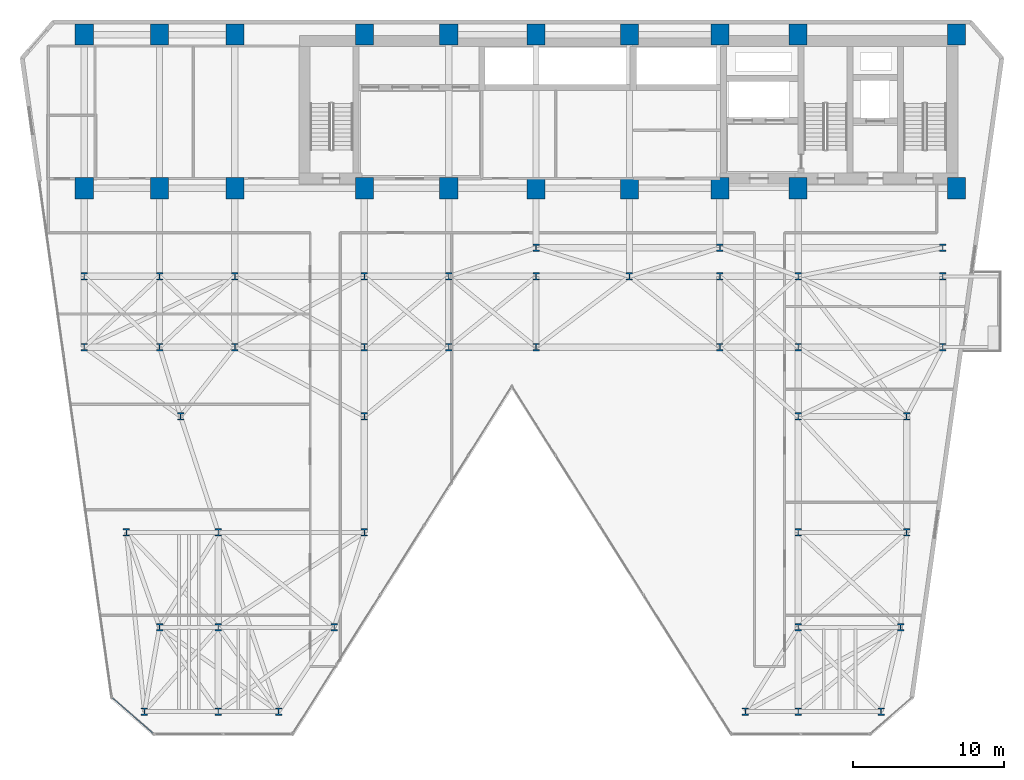
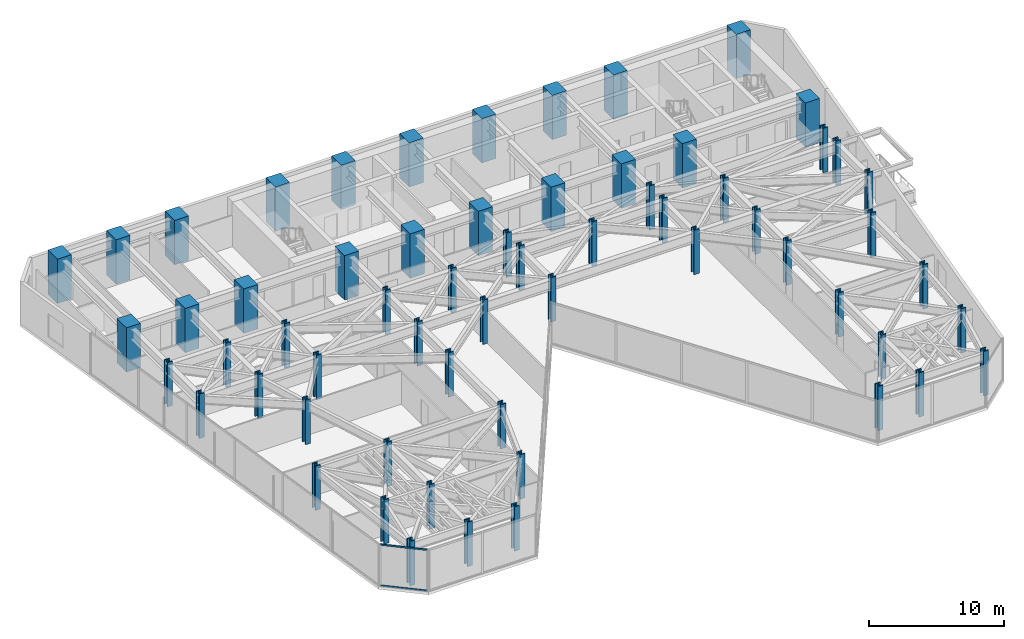
# One storey, part 1 of 24: 62 columns, 2 members, 1 element without a shape of its own.
"""IFC4 building model written with IfcOpenShell, lengths in metres."""

import ifcopenshell
import ifcopenshell.guid

model = None  # the IFC model being written
_history = None  # IfcOwnerHistory: only IFC2X3 demands one
_inside = {}  # id of a spatial element -> (the spatial element, [elements in it])
_under = {}  # id of a project, library or spatial element -> (it, [spatial elements below it])
_declared = {}  # id of a project -> (the project, [libraries it declares])
_typed = {}  # id of a type object -> (the type object, [elements of that type])
_made_of = {}  # id of a material, layer set ... -> (it, [elements and type objects made of it])


def new_model(schema):
    """Start an empty IFC model of exactly this schema.

    Asked for "IFC4X3", IfcOpenShell would pick the latest addendum, in which some entities
    have other attributes; the version numbers below select the first issue.
    IFC2X3 requires an IfcOwnerHistory on every rooted entity: one is made here for all.
    """
    global model, _history
    if schema == "IFC4X3":
        model = ifcopenshell.file(schema_version=(4, 3, 0, 0))
    else:
        model = ifcopenshell.file(schema=schema)
    _inside.clear()
    _under.clear()
    _declared.clear()
    _typed.clear()
    _made_of.clear()
    _history = None
    if model.schema == "IFC2X3":
        org = make("IfcOrganization", Name="unknown")
        user = make(
            "IfcPersonAndOrganization",
            ThePerson=make("IfcPerson", FamilyName="unknown"),
            TheOrganization=org,
        )
        app = make(
            "IfcApplication",
            ApplicationDeveloper=org,
            Version="unknown",
            ApplicationFullName="unknown",
            ApplicationIdentifier="unknown",
        )
        _history = make(
            "IfcOwnerHistory",
            OwningUser=user,
            OwningApplication=app,
            ChangeAction="ADDED",
            CreationDate=0,
        )
    return model


def make(cls, **values):
    """One entity of the class cls with the attributes given. An attribute that is None is left unset."""
    return model.create_entity(
        cls, **{name: value for name, value in values.items() if value is not None}
    )


def rooted(cls, **values):
    """An entity with a GlobalId (a new one), such as an element, a storey or a relation."""
    return make(cls, GlobalId=ifcopenshell.guid.new(), OwnerHistory=_history, **values)


def si_unit(unit_type, name, prefix=None):
    """IfcSIUnit, for example si_unit("LENGTHUNIT", "METRE", prefix="MILLI")."""
    return make("IfcSIUnit", UnitType=unit_type, Prefix=prefix, Name=name)


def assignment(units):
    """IfcUnitAssignment: the units of a project."""
    return None if units is None else make("IfcUnitAssignment", Units=units)


def point(xyz):
    """IfcCartesianPoint."""
    return None if xyz is None else make("IfcCartesianPoint", Coordinates=xyz)


def direction(xyz):
    """IfcDirection."""
    return None if xyz is None else make("IfcDirection", DirectionRatios=xyz)


def frame(location, z_axis=None, x_axis=None):
    """IfcAxis2Placement3D, a coordinate frame: its origin and axes. An axis left out is left unset."""
    return make(
        "IfcAxis2Placement3D",
        Location=point(location),
        Axis=direction(z_axis),
        RefDirection=direction(x_axis),
    )


def frame_2d(location, x_axis=None):
    """IfcAxis2Placement2D, a coordinate frame in the plane: its origin and x axis."""
    return make(
        "IfcAxis2Placement2D", Location=point(location), RefDirection=direction(x_axis)
    )


def origin():
    """The frame at (0, 0, 0) with its axes left unset."""
    return frame((0.0, 0.0, 0.0))


def origin_2d():
    """The frame at (0, 0) in the plane with its x axis left unset."""
    return frame_2d((0.0, 0.0))


def place(relative_to, where):
    """IfcLocalPlacement: puts the frame where relative to a parent placement (None: the world)."""
    return make(
        "IfcLocalPlacement", PlacementRelTo=relative_to, RelativePlacement=where
    )


def context(
    kind, dimensions, precision=None, world=None, true_north=None, identifier=None
):
    """IfcGeometricRepresentationContext, for example the 3D "Model" context."""
    return make(
        "IfcGeometricRepresentationContext",
        ContextIdentifier=identifier,
        ContextType=kind,
        CoordinateSpaceDimension=dimensions,
        Precision=precision,
        WorldCoordinateSystem=world,
        TrueNorth=true_north,
    )


def subcontext(parent, identifier, kind, view, scale=None):
    """IfcGeometricRepresentationSubContext, for example "Body" below "Model"."""
    return make(
        "IfcGeometricRepresentationSubContext",
        ContextIdentifier=identifier,
        ContextType=kind,
        ParentContext=parent,
        TargetScale=scale,
        TargetView=view,
    )


def project(units=None, contexts=None):
    """IfcProject with its units and contexts."""
    return rooted(
        "IfcProject",
        Name="project",
        RepresentationContexts=contexts,
        UnitsInContext=assignment(units),
    )


def spatial(cls, under=None, at=None, **own):
    """A site, building, storey or space (cls), placed at a placement, below another one or the project."""
    s = rooted(cls, ObjectPlacement=at, **own)
    if under is not None:
        _under.setdefault(under.id(), (under, []))[1].append(s)
    return s


def profile(cls, at=None, kind="AREA", **sizes):
    """A parametric profile (cls). Its sizes go by their IFC names, for example OverallWidth=200.0."""
    return make(cls, ProfileType=kind, Position=at, **sizes)


def rectangle(**sizes):
    """IfcRectangleProfileDef."""
    return profile("IfcRectangleProfileDef", **sizes)


def hollow_rectangle(**sizes):
    """IfcRectangleHollowProfileDef."""
    return profile("IfcRectangleHollowProfileDef", **sizes)


def i_section(**sizes):
    """IfcIShapeProfileDef."""
    return profile("IfcIShapeProfileDef", **sizes)


def extrude(swept, where, along, depth):
    """IfcExtrudedAreaSolid: the profile swept, set in the frame where, extruded along a direction by depth."""
    return make(
        "IfcExtrudedAreaSolid",
        SweptArea=swept,
        Position=where,
        ExtrudedDirection=direction(along),
        Depth=depth,
    )


def shape(context_of_items, identifier, shape_type, items):
    """IfcShapeRepresentation: the items that make up one representation, for example the "Body"."""
    return make(
        "IfcShapeRepresentation",
        ContextOfItems=context_of_items,
        RepresentationIdentifier=identifier,
        RepresentationType=shape_type,
        Items=items,
    )


def material(Name=None, Category=None):
    """IfcMaterial."""
    return make("IfcMaterial", Name=Name, Category=Category)


def layer(
    of_material, thickness, ventilated=None, Name=None, Category=None, Priority=None
):
    """IfcMaterialLayer: one layer of a wall or slab, of a material (None: an air gap)."""
    return make(
        "IfcMaterialLayer",
        Material=of_material,
        LayerThickness=thickness,
        IsVentilated=ventilated,
        Name=Name,
        Category=Category,
        Priority=Priority,
    )


def layer_set(layers, Name=None):
    """IfcMaterialLayerSet."""
    return make("IfcMaterialLayerSet", MaterialLayers=layers, LayerSetName=Name)


def material_profile(
    of_material, cross_section, Name=None, Category=None, Priority=None
):
    """IfcMaterialProfile: a cross section and its material."""
    return make(
        "IfcMaterialProfile",
        Name=Name,
        Material=of_material,
        Profile=cross_section,
        Priority=Priority,
        Category=Category,
    )


def profile_set(profiles, Name=None, composite=None):
    """IfcMaterialProfileSet."""
    return make(
        "IfcMaterialProfileSet",
        Name=Name,
        MaterialProfiles=profiles,
        CompositeProfile=composite,
    )


def made_of(thing, what):
    """Note that an element or type object is made of a material, layer set ...; save() writes the relation."""
    if what is not None:
        _made_of.setdefault(what.id(), (what, []))[1].append(thing)
    return thing


def type_object(cls, material=None, **own):
    """A type object (cls), such as IfcWallType, which elements share."""
    return made_of(rooted(cls, **own), material)


def element(
    cls,
    number,
    at=None,
    inside=None,
    cuts=None,
    type_object=None,
    material=None,
    context=None,
    identifier="Body",
    shape_type=None,
    held_by="IfcProductDefinitionShape",
    body=None,
    shapes=None,
    **own,
):
    """One element of the class cls, such as IfcWall. Its Tag is "e" and its number.

    at: its placement. inside: the storey or other place that contains it. cuts: it is an
    opening in that element (IfcRelVoidsElement). A single representation is given by context,
    identifier, shape_type and body (its items); several are given by shapes. held_by: the class
    of the entity that holds the representations. save() writes the other relations.
    """
    e = rooted(cls, Tag="e%d" % number, ObjectPlacement=at, **own)
    if body is not None:
        shapes = [shape(context, identifier, shape_type, body)]
    if shapes is not None:
        e.Representation = make(held_by, Representations=shapes)
    if inside is not None:
        _inside.setdefault(inside.id(), (inside, []))[1].append(e)
    if cuts is not None:
        rooted(
            "IfcRelVoidsElement", RelatingBuildingElement=cuts, RelatedOpeningElement=e
        )
    if type_object is not None:
        _typed.setdefault(type_object.id(), (type_object, []))[1].append(e)
    return made_of(e, material)


def aggregate(whole, parts):
    """IfcRelAggregates: a whole, such as a stair, and the parts it consists of."""
    return rooted("IfcRelAggregates", RelatingObject=whole, RelatedObjects=parts)


def save(model, path):
    """Write the relations noted so far, then the file.

    IfcRelAggregates (storeys below a building ...), IfcRelContainedInSpatialStructure (elements
    in a storey), IfcRelDefinesByType, IfcRelAssociatesMaterial and IfcRelDeclares: one each for
    every whole, place, type object, material and project.
    """
    for whole, parts in _under.values():
        aggregate(whole, parts)
    for where, things in _inside.values():
        rooted(
            "IfcRelContainedInSpatialStructure",
            RelatedElements=things,
            RelatingStructure=where,
        )
    for kind, things in _typed.values():
        rooted("IfcRelDefinesByType", RelatedObjects=things, RelatingType=kind)
    for what, things in _made_of.values():
        rooted("IfcRelAssociatesMaterial", RelatedObjects=things, RelatingMaterial=what)
    for by, libraries in _declared.values():
        rooted("IfcRelDeclares", RelatingContext=by, RelatedDefinitions=libraries)
    model.write(path)


model = new_model("IFC4")

# Units and contexts
model_context = context("Model", 3, precision=1e-05, world=origin(), true_north=direction((0.0, 1.0)))
body_context = subcontext(model_context, "Body", "Model", "MODEL_VIEW")
ifc_project = project(units=[si_unit("LENGTHUNIT", "METRE"), si_unit("AREAUNIT", "SQUARE_METRE"), si_unit("VOLUMEUNIT", "CUBIC_METRE"), si_unit("PLANEANGLEUNIT", "RADIAN"), si_unit("MASSUNIT", "GRAM", prefix="KILO")], contexts=[model_context])

# Site, building, storey
site_placement = place(None, origin())
site = spatial("IfcSite", under=ifc_project, at=site_placement, CompositionType="ELEMENT")
building_placement = place(site_placement, origin())
building = spatial("IfcBuilding", under=site, at=building_placement, Name="Kravanh Interchange Tower", CompositionType="ELEMENT")
storey_placement = place(building_placement, frame((0.0, 0.0, 61.5)))
storey = spatial("IfcBuildingStorey", under=building, at=storey_placement, Name="L14", CompositionType="ELEMENT", Elevation=61.5)

# Columns
ifc_material_1 = material(Name="Concrete C70/85", Category="concrete")
ifc_material_profile_1 = material_profile(ifc_material_1, rectangle(XDim=1.199951171875, YDim=1.39990234375, at=origin_2d()), Name="RC1200X1400")
ifc_profile_set_1 = profile_set([ifc_material_profile_1], Name="Concrete C70/85")
column_type_1 = type_object("IfcColumnType", Name="Column RC1200X1400 Concrete C70/85", PredefinedType="COLUMN", material=ifc_profile_set_1)
for number, where, z_axis, x_axis, name in (
    (1, (66.5, 47.550048828125, 0.0), (0.0, 0.0, 1.0), (1.0, 0.0, 0.0), "L14 Column CS01"),
    (2, (56.0, 47.550048828125, 0.0), (0.0, 0.0, 1.0), (1.0, 0.0, 0.0), "L14 Column CS02"),
    (3, (66.5, 37.35009765625, 0.0), (0.0, 0.0, 1.0), (1.0, 0.0, 0.0), "L14 Column CS03"),
    (4, (56.0, 37.35009765625, 0.0), (0.0, 0.0, 1.0), (1.0, 0.0, 0.0), "L14 Column CS04"),
    (5, (50.800048828125, 47.550048828125, 0.0), (0.0, 0.0, 1.0), (1.0, 0.0, 0.0), "L14 Column CS05"),
    (6, (50.800048828125, 37.35009765625, 0.0), (0.0, 0.0, 1.0), (1.0, 0.0, 0.0), "L14 Column CS06"),
    (7, (44.800048828125, 37.35009765625, 0.0), (0.0, 0.0, 1.0), (1.0, 0.0, 0.0), "L14 Column CS07"),
    (8, (44.800048828125, 47.550048828125, 0.0), (0.0, 0.0, 1.0), (1.0, 0.0, 0.0), "L14 Column CS08"),
    (9, (38.60009765625, 37.35009765625, 0.0), (0.0, 0.0, 1.0), (1.0, 0.0, 0.0), "L14 Column CS09"),
    (10, (38.60009765625, 47.550048828125, 0.0), (0.0, 0.0, 1.0), (1.0, 0.0, 0.0), "L14 Column CS10"),
    (11, (32.800048828125, 37.35009765625, 0.0), (0.0, 0.0, 1.0), (1.0, 0.0, 0.0), "L14 Column CS11"),
    (12, (32.800048828125, 47.550048828125, 0.0), (0.0, 0.0, 1.0), (1.0, 0.0, 0.0), "L14 Column CS12"),
    (13, (27.199951171875, 37.35009765625, 0.0), (0.0, 0.0, 1.0), (1.0, 0.0, 0.0), "L14 Column CS13"),
    (14, (27.199951171875, 47.550048828125, 0.0), (0.0, 0.0, 1.0), (1.0, 0.0, 0.0), "L14 Column CS14"),
    (15, (18.60009765625, 37.35009765625, 0.0), (0.0, 0.0, 1.0), (1.0, 0.0, 0.0), "L14 Column CS17"),
    (16, (18.60009765625, 47.550048828125, 0.0), (0.0, 0.0, 1.0), (1.0, 0.0, 0.0), "L14 Column CS18"),
    (17, (13.60009765625, 37.35009765625, 0.0), (0.0, 0.0, 1.0), (1.0, 0.0, 0.0), "L14 Column CS19"),
    (18, (13.60009765625, 47.550048828125, 0.0), (0.0, 0.0, 1.0), (1.0, 0.0, 0.0), "L14 Column CS20"),
    (19, (8.60009765625, 37.35009765625, 0.0), (0.0, 0.0, 1.0), (1.0, 0.0, 0.0), "L14 Column CS21"),
    (20, (8.60009765625, 47.550048828125, 0.0), (0.0, 0.0, 1.0), (1.0, 0.0, 0.0), "L14 Column CS22"),
):
    element("IfcColumn", number, at=place(storey_placement, frame(where, z_axis=z_axis, x_axis=x_axis)), inside=storey, type_object=column_type_1, Name=name, PredefinedType="COLUMN", context=body_context, shape_type="SweptSolid", body=[
        extrude(rectangle(XDim=1.199951171875, YDim=1.39990234375, at=origin_2d()), origin(), (0.0, 0.0, 1.0), 4.0),
    ])
ifc_material_2 = material(Name="Structural Steel S450", Category="steel")
ifc_material_profile_2 = material_profile(ifc_material_2, i_section(OverallWidth=0.431884765625, OverallDepth=0.498046875, WebThickness=0.0556640625, FlangeThickness=0.0888671875, FilletRadius=0.030029296875, at=origin_2d()), Name="W14X500")
ifc_profile_set_2 = profile_set([ifc_material_profile_2], Name="Structural Steel S450")
column_type_2 = type_object("IfcColumnType", Name="Column W14X500 Structural Steel S450", PredefinedType="COLUMN", material=ifc_profile_set_2)
for number, where, z_axis, x_axis, name in (
    (21, (12.60009765625, 2.60009765625, 0.0), (0.0, 0.0, 1.0), (1.0, 0.0, 0.0), "L14 Column CZ1_1"),
    (22, (56.0, 14.5, 0.0), (0.0, 0.0, 1.0), (1.0, 0.0, 0.0), "L14 Column CZ1_10"),
    (23, (63.199951171875, 14.5, 0.0), (0.0, 0.0, 1.0), (1.0, 0.0, 0.0), "L14 Column CZ1_11"),
    (24, (15.0, 22.199951171875, 0.0), (0.0, 0.0, 1.0), (1.0, 0.0, 0.0), "L14 Column CZ1_11B"),
    (25, (27.199951171875, 22.199951171875, 0.0), (0.0, 0.0, 1.0), (1.0, 0.0, 0.0), "L14 Column CZ1_11C"),
    (26, (56.0, 22.199951171875, 0.0), (0.0, 0.0, 1.0), (1.0, 0.0, 0.0), "L14 Column CZ1_11D"),
    (27, (63.199951171875, 22.199951171875, 0.0), (0.0, 0.0, 1.0), (1.0, 0.0, 0.0), "L14 Column CZ1_11E"),
    (28, (8.60009765625, 26.800048828125, 0.0), (0.0, 0.0, 1.0), (1.0, 0.0, 0.0), "L14 Column CZ1_12"),
    (29, (13.60009765625, 26.800048828125, 0.0), (0.0, 0.0, 1.0), (1.0, 0.0, 0.0), "L14 Column CZ1_13"),
    (30, (18.60009765625, 26.800048828125, 0.0), (0.0, 0.0, 1.0), (1.0, 0.0, 0.0), "L14 Column CZ1_14"),
    (31, (27.199951171875, 26.800048828125, 0.0), (0.0, 0.0, 1.0), (1.0, 0.0, 0.0), "L14 Column CZ1_15"),
    (32, (32.800048828125, 26.800048828125, 0.0), (0.0, 0.0, 1.0), (1.0, 0.0, 0.0), "L14 Column CZ1_16"),
    (33, (38.60009765625, 26.800048828125, 0.0), (0.0, 0.0, 1.0), (1.0, 0.0, 0.0), "L14 Column CZ1_16B"),
    (34, (50.800048828125, 26.800048828125, 0.0), (0.0, 0.0, 1.0), (1.0, 0.0, 0.0), "L14 Column CZ1_17"),
    (35, (56.0, 26.800048828125, 0.0), (0.0, 0.0, 1.0), (1.0, 0.0, 0.0), "L14 Column CZ1_18"),
    (36, (65.60009765625, 26.800048828125, 0.0), (0.0, 0.0, 1.0), (1.0, 0.0, 0.0), "L14 Column CZ1_19"),
    (37, (8.60009765625, 31.5, 0.0), (0.0, 0.0, 1.0), (1.0, 0.0, 0.0), "L14 Column CZ1_19B"),
    (38, (13.60009765625, 31.5, 0.0), (0.0, 0.0, 1.0), (1.0, 0.0, 0.0), "L14 Column CZ1_19C"),
    (39, (17.5, 2.60009765625, 0.0), (0.0, 0.0, 1.0), (1.0, 0.0, 0.0), "L14 Column CZ1_2"),
    (40, (18.60009765625, 31.5, 0.0), (0.0, 0.0, 1.0), (1.0, 0.0, 0.0), "L14 Column CZ1_20"),
    (41, (27.199951171875, 31.5, 0.0), (0.0, 0.0, 1.0), (1.0, 0.0, 0.0), "L14 Column CZ1_21"),
    (42, (32.800048828125, 31.5, 0.0), (0.0, 0.0, 1.0), (1.0, 0.0, 0.0), "L14 Column CZ1_22"),
    (43, (38.60009765625, 31.5, 0.0), (0.0, 0.0, 1.0), (1.0, 0.0, 0.0), "L14 Column CZ1_23"),
    (44, (44.800048828125, 31.5, 0.0), (0.0, 0.0, 1.0), (1.0, 0.0, 0.0), "L14 Column CZ1_24"),
    (45, (50.800048828125, 31.5, 0.0), (0.0, 0.0, 1.0), (1.0, 0.0, 0.0), "L14 Column CZ1_25"),
    (46, (56.0, 31.5, 0.0), (0.0, 0.0, 1.0), (1.0, 0.0, 0.0), "L14 Column CZ1_26"),
    (47, (65.60009765625, 31.5, 0.0), (0.0, 0.0, 1.0), (1.0, 0.0, 0.0), "L14 Column CZ1_27"),
    (48, (21.5, 2.60009765625, 0.0), (0.0, 0.0, 1.0), (1.0, 0.0, 0.0), "L14 Column CZ1_3"),
    (49, (52.5, 2.60009765625, 0.0), (0.0, 0.0, 1.0), (1.0, 0.0, 0.0), "L14 Column CZ1_4"),
    (50, (56.0, 2.60009765625, 0.0), (0.0, 0.0, 1.0), (1.0, 0.0, 0.0), "L14 Column CZ1_5"),
    (51, (61.5, 2.60009765625, 0.0), (0.0, 0.0, 1.0), (1.0, 0.0, 0.0), "L14 Column CZ1_5B"),
    (52, (13.60009765625, 8.199951171875, 0.0), (0.0, 0.0, 1.0), (1.0, 0.0, 0.0), "L14 Column CZ1_6"),
    (53, (17.5, 8.199951171875, 0.0), (0.0, 0.0, 1.0), (1.0, 0.0, 0.0), "L14 Column CZ1_6B"),
    (54, (25.199951171875, 8.199951171875, 0.0), (0.0, 0.0, 1.0), (1.0, 0.0, 0.0), "L14 Column CZ1_6C"),
    (55, (56.0, 8.199951171875, 0.0), (0.0, 0.0, 1.0), (1.0, 0.0, 0.0), "L14 Column CZ1_6D"),
    (56, (62.800048828125, 8.199951171875, 0.0), (0.0, 0.0, 1.0), (1.0, 0.0, 0.0), "L14 Column CZ1_6E"),
    (57, (11.39990234375, 14.5, 0.0), (0.0, 0.0, 1.0), (1.0, 0.0, 0.0), "L14 Column CZ1_7"),
    (58, (17.5, 14.5, 0.0), (0.0, 0.0, 1.0), (1.0, 0.0, 0.0), "L14 Column CZ1_7B"),
    (59, (27.199951171875, 14.5, 0.0), (0.0, 0.0, 1.0), (1.0, 0.0, 0.0), "L14 Column CZ1_8"),
    (60, (38.60009765625, 33.39990234375, 0.0), (0.0, 0.0, 1.0), (1.0, 0.0, 0.0), "L14 Column CZ1_M1"),
    (61, (50.800048828125, 33.39990234375, 0.0), (0.0, 0.0, 1.0), (1.0, 0.0, 0.0), "L14 Column CZ1_M2"),
    (62, (65.60009765625, 33.39990234375, 0.0), (0.0, 0.0, 1.0), (1.0, 0.0, 0.0), "L14 Column CZ1_M3"),
):
    element("IfcColumn", number, at=place(storey_placement, frame(where, z_axis=z_axis, x_axis=x_axis)), inside=storey, type_object=column_type_2, Name=name, PredefinedType="COLUMN", context=body_context, shape_type="SweptSolid", body=[
        extrude(i_section(OverallWidth=0.431884765625, OverallDepth=0.498046875, WebThickness=0.0556640625, FlangeThickness=0.0888671875, FilletRadius=0.030029296875, at=origin_2d()), origin(), (0.0, 0.0, 1.0), 4.0),
    ])

# Curtain wall, members
ifc_material_3 = material(Name="Anodised Bronze Aluminium", Category="aluminium")
ifc_layer = layer(ifc_material_3, 0.179931640625)
ifc_layer_set = layer_set([ifc_layer], Name="Unitised Curtain Wall System CW-Z1 Lower Office")
curtain_wall_type = type_object("IfcCurtainWallType", Name="Unitised Curtain Wall System CW-Z1 Lower Office", PredefinedType="NOTDEFINED", material=ifc_layer_set)
curtain_wall_placement = place(storey_placement, origin())
curtain_wall = element("IfcCurtainWall", 63, at=curtain_wall_placement, inside=storey, type_object=curtain_wall_type, Name="L14 Unitised Curtain Wall CW-L14-07", PredefinedType="NOTDEFINED")
ifc_material_4 = material(Name="Anodised Bronze Aluminium", Category="aluminium")
ifc_material_profile_3 = material_profile(ifc_material_4, hollow_rectangle(XDim=0.06005859375, YDim=0.139892578125, WallThickness=0.00390625, at=origin_2d()), Name="ALU60X140X4")
ifc_profile_set_3 = profile_set([ifc_material_profile_3], Name="Anodised Bronze Aluminium")
member_type = type_object("IfcMemberType", Name="Curtain Wall Transom ALU60X140X4 Bronze", PredefinedType="USERDEFINED", material=ifc_profile_set_3)
member_1_placement = place(storey_placement, frame((13.167724609375, 1.166015625, 0.030029296875), z_axis=(-0.754710815466, 0.656057608004, 0.0), x_axis=(-0.656057608004, -0.754710815466, 0.0)))
member_1 = element("IfcMember", 64, at=member_1_placement, type_object=member_type, Name="CW-Z1 transom 1.1", ObjectType="TRANSOM", PredefinedType="USERDEFINED", context=body_context, shape_type="SweptSolid", body=[
    extrude(hollow_rectangle(XDim=0.06005859375, YDim=0.139892578125, WallThickness=0.00390625, at=origin_2d()), origin(), (0.0, 0.0, 1.0), 3.543701171875),
])
member_2_placement = place(storey_placement, frame((13.167724609375, 1.166015625, 3.7099609375), z_axis=(-0.754710815466, 0.656057608004, 0.0), x_axis=(-0.656057608004, -0.754710815466, 0.0)))
member_2 = element("IfcMember", 65, at=member_2_placement, type_object=member_type, Name="CW-Z1 transom 1.2", ObjectType="TRANSOM", PredefinedType="USERDEFINED", context=body_context, shape_type="SweptSolid", body=[
    extrude(hollow_rectangle(XDim=0.06005859375, YDim=0.139892578125, WallThickness=0.00390625, at=origin_2d()), origin(), (0.0, 0.0, 1.0), 3.543701171875),
])
aggregate(curtain_wall, [member_1, member_2])

save(model, "model.ifc")
